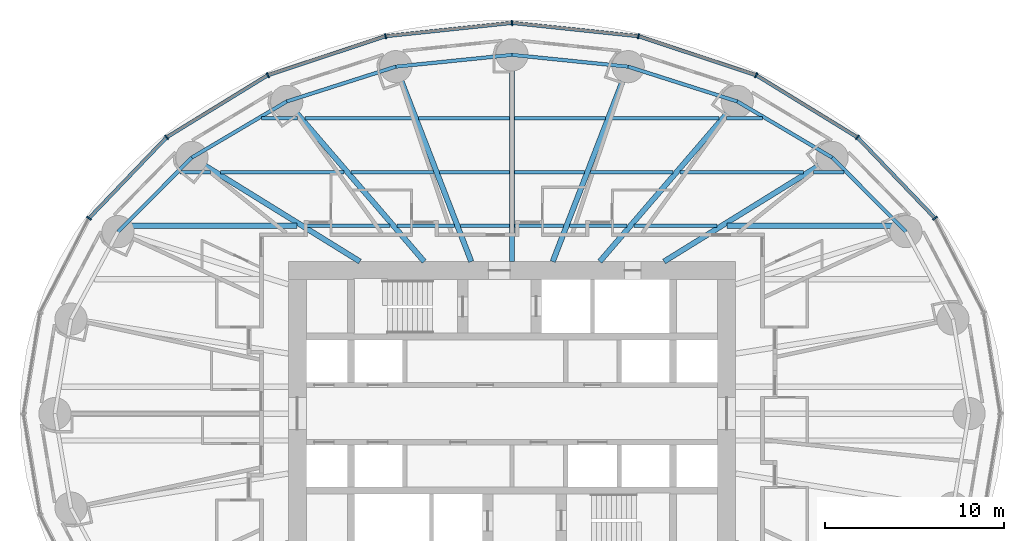
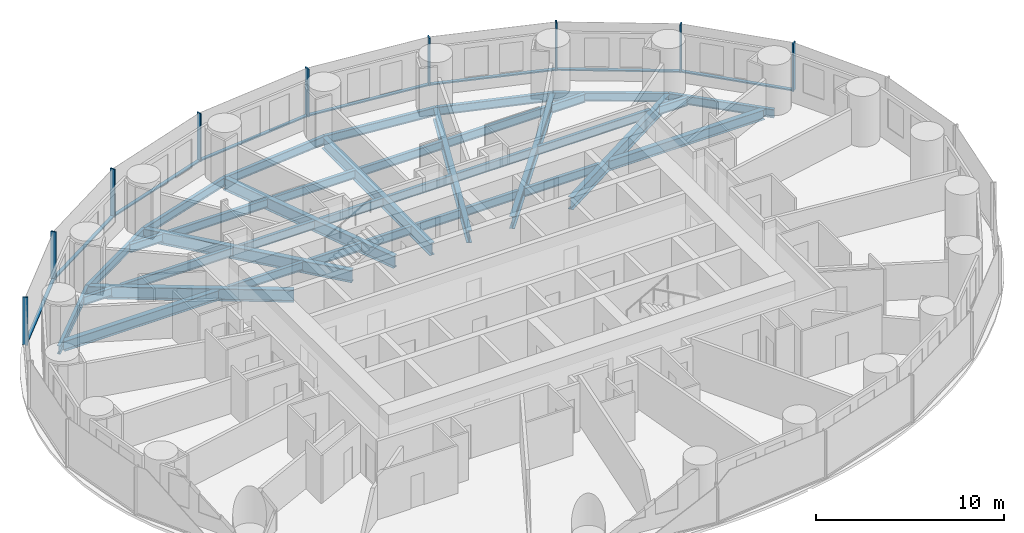
# One storey, part 4 of 14: 37 beams, 17 members, 2 elements without a shape of their own.
"""IFC4 building model written with IfcOpenShell, lengths in metres."""

from ifc_helpers import new_model, si_unit, direction, frame, origin, origin_2d, place, context, subcontext, project, spatial, rectangle, i_section, extrude, material, material_profile, profile_set, type_object, element, aggregate, save


model = new_model("IFC4")

# Units and contexts
model_context = context("Model", 3, precision=1e-05, world=origin(), true_north=direction((0.0, 1.0)))
body_context = subcontext(model_context, "Body", "Model", "MODEL_VIEW")
ifc_project = project(units=[si_unit("LENGTHUNIT", "METRE"), si_unit("AREAUNIT", "SQUARE_METRE"), si_unit("VOLUMEUNIT", "CUBIC_METRE"), si_unit("PLANEANGLEUNIT", "RADIAN"), si_unit("MASSUNIT", "GRAM", prefix="KILO")], contexts=[model_context])

# Site, building, storey
site_placement = place(None, origin())
site = spatial("IfcSite", under=ifc_project, at=site_placement, CompositionType="ELEMENT")
building_placement = place(site_placement, origin())
building = spatial("IfcBuilding", under=site, at=building_placement, Name="Hankou Lantern Tower", CompositionType="ELEMENT")
storey_placement = place(building_placement, frame((0.0, 0.0, 32.699951171875)))
storey = spatial("IfcBuildingStorey", under=building, at=storey_placement, Name="L06", CompositionType="ELEMENT", Elevation=32.699951171875)

# Beams
ifc_material_1 = material(Name="Steel Q355B", Category="steel")
ifc_material_profile_1 = material_profile(ifc_material_1, i_section(OverallWidth=0.199951171875, OverallDepth=0.550048828125, WebThickness=0.010009765625, FlangeThickness=0.01611328125, FilletRadius=0.012939453125, at=origin_2d()), Name="HN550x200x10x16")
ifc_profile_set_1 = profile_set([ifc_material_profile_1], Name="Steel Q355B")
beam_type_1 = type_object("IfcBeamType", Name="EB6 RING BEAM HN550x200x10x16", PredefinedType="SPANDREL", material=ifc_profile_set_1)
beam_1_placement = place(storey_placement, frame((22.01904296875, 10.170166015625, -0.454833984375), z_axis=(-0.705727798394, 0.708483079949, 0.0), x_axis=(-0.708483079949, -0.705727798394, 0.0)))
element("IfcBeam", 1, at=beam_1_placement, inside=storey, type_object=beam_type_1, Name="Ring beam R03-R04 L06", PredefinedType="SPANDREL", context=body_context, shape_type="SweptSolid", body=[
    extrude(i_section(OverallWidth=0.199951171875, OverallDepth=0.550048828125, WebThickness=0.010009765625, FlangeThickness=0.01611328125, FilletRadius=0.012939453125, at=origin_2d()), origin(), (0.0, 0.0, 1.0), 5.84814453125),
])
beam_2_placement = place(storey_placement, frame((17.891845703125, 14.3134765625, -0.454833984375), z_axis=(-0.860881533543, 0.508805449268, 0.0), x_axis=(-0.508805449268, -0.860881533543, 0.0)))
element("IfcBeam", 2, at=beam_2_placement, inside=storey, type_object=beam_type_1, Name="Ring beam R04-R05 L06", PredefinedType="SPANDREL", context=body_context, shape_type="SweptSolid", body=[
    extrude(i_section(OverallWidth=0.199951171875, OverallDepth=0.550048828125, WebThickness=0.010009765625, FlangeThickness=0.01611328125, FilletRadius=0.012939453125, at=origin_2d()), origin(), (0.0, 0.0, 1.0), 6.15771484375),
])
beam_3_placement = place(storey_placement, frame((12.5908203125, 17.446533203125, -0.454833984375), z_axis=(-0.952690479428, 0.303942182671, 0.0), x_axis=(-0.303942182671, -0.952690479428, 0.0)))
element("IfcBeam", 3, at=beam_3_placement, inside=storey, type_object=beam_type_1, Name="Ring beam R05-R06 L06", PredefinedType="SPANDREL", context=body_context, shape_type="SweptSolid", body=[
    extrude(i_section(OverallWidth=0.199951171875, OverallDepth=0.550048828125, WebThickness=0.010009765625, FlangeThickness=0.01611328125, FilletRadius=0.012939453125, at=origin_2d()), origin(), (0.0, 0.0, 1.0), 6.398681640625),
])
for number, where, z_axis, x_axis, name in (
    (4, (6.494873046875, 19.391357421875, -0.454833984375), (-0.994896616842, 0.100899562915, 0.0), (-0.100899562915, -0.994896616842, 0.0), "Ring beam R06-R07 L06"),
    (5, (0.0, 20.050048828125, -0.454833984375), (-0.994896616842, -0.100899562915, 0.0), (0.100899562915, -0.994896616842, 0.0), "Ring beam R07-R08 L06"),
):
    element("IfcBeam", number, at=place(storey_placement, frame(where, z_axis=z_axis, x_axis=x_axis)), inside=storey, type_object=beam_type_1, Name=name, PredefinedType="SPANDREL", context=body_context, shape_type="SweptSolid", body=[
        extrude(i_section(OverallWidth=0.199951171875, OverallDepth=0.550048828125, WebThickness=0.010009765625, FlangeThickness=0.01611328125, FilletRadius=0.012939453125, at=origin_2d()), origin(), (0.0, 0.0, 1.0), 6.528076171875),
    ])
beam_4_placement = place(storey_placement, frame((-6.494873046875, 19.391357421875, -0.454833984375), z_axis=(-0.952690479428, -0.303942182671, 0.0), x_axis=(0.303942182671, -0.952690479428, 0.0)))
element("IfcBeam", 6, at=beam_4_placement, inside=storey, type_object=beam_type_1, Name="Ring beam R08-R09 L06", PredefinedType="SPANDREL", context=body_context, shape_type="SweptSolid", body=[
    extrude(i_section(OverallWidth=0.199951171875, OverallDepth=0.550048828125, WebThickness=0.010009765625, FlangeThickness=0.01611328125, FilletRadius=0.012939453125, at=origin_2d()), origin(), (0.0, 0.0, 1.0), 6.398681640625),
])
beam_5_placement = place(storey_placement, frame((-12.5908203125, 17.446533203125, -0.454833984375), z_axis=(-0.860881533543, -0.508805449268, 0.0), x_axis=(0.508805449268, -0.860881533543, 0.0)))
element("IfcBeam", 7, at=beam_5_placement, inside=storey, type_object=beam_type_1, Name="Ring beam R09-R10 L06", PredefinedType="SPANDREL", context=body_context, shape_type="SweptSolid", body=[
    extrude(i_section(OverallWidth=0.199951171875, OverallDepth=0.550048828125, WebThickness=0.010009765625, FlangeThickness=0.01611328125, FilletRadius=0.012939453125, at=origin_2d()), origin(), (0.0, 0.0, 1.0), 6.15771484375),
])
beam_6_placement = place(storey_placement, frame((-17.891845703125, 14.3134765625, -0.454833984375), z_axis=(-0.705727798394, -0.708483079949, 0.0), x_axis=(0.708483079949, -0.705727798394, 0.0)))
element("IfcBeam", 8, at=beam_6_placement, inside=storey, type_object=beam_type_1, Name="Ring beam R10-R11 L06", PredefinedType="SPANDREL", context=body_context, shape_type="SweptSolid", body=[
    extrude(i_section(OverallWidth=0.199951171875, OverallDepth=0.550048828125, WebThickness=0.010009765625, FlangeThickness=0.01611328125, FilletRadius=0.012939453125, at=origin_2d()), origin(), (0.0, 0.0, 1.0), 5.84814453125),
])

# Curtain wall, members
ifc_material_2 = material(Name="Glass, dark grey tinted laminated", Category="glass")
curtain_wall_type = type_object("IfcCurtainWallType", Name="CWA OUTER SKIN LOW-RISE", PredefinedType="USERDEFINED", material=ifc_material_2)
curtain_wall_1_placement = place(storey_placement, origin())
curtain_wall_1 = element("IfcCurtainWall", 9, at=curtain_wall_1_placement, inside=storey, type_object=curtain_wall_type, Name="CWA L06 OS1", ObjectType="OUTER SKIN LOW-RISE", PredefinedType="USERDEFINED")
ifc_material_3 = material(Name="Aluminium, black anodised", Category="aluminium")
ifc_material_profile_2 = material_profile(ifc_material_3, rectangle(XDim=0.080078125, YDim=0.300048828125, at=origin_2d()), Name="MU1 80X300")
ifc_profile_set_2 = profile_set([ifc_material_profile_2], Name="Aluminium, black anodised")
member_type_1 = type_object("IfcMemberType", Name="MU1 OUTER SKIN MULLION 80X300", PredefinedType="MULLION", material=ifc_profile_set_2)
member_1_placement = place(storey_placement, frame((23.642578125, 10.919921875, 0.0), z_axis=(0.0, 0.0, 1.0), x_axis=(-0.585205735974, 0.810884854084, 0.0)))
member_1 = element("IfcMember", 10, at=member_1_placement, type_object=member_type_1, Name="CWA mullion 3", PredefinedType="MULLION", context=body_context, shape_type="SweptSolid", body=[
    extrude(rectangle(XDim=0.080078125, YDim=0.300048828125, at=origin_2d()), origin(), (0.0, 0.0, 1.0), 3.1201171875),
])
member_2_placement = place(storey_placement, frame((19.303955078125, 15.443115234375, 0.0), z_axis=(0.0, 0.0, 1.0), x_axis=(-0.780868809444, 0.624695047553, 0.0)))
member_2 = element("IfcMember", 11, at=member_2_placement, type_object=member_type_1, Name="CWA mullion 4", PredefinedType="MULLION", context=body_context, shape_type="SweptSolid", body=[
    extrude(rectangle(XDim=0.080078125, YDim=0.300048828125, at=origin_2d()), origin(), (0.0, 0.0, 1.0), 3.1201171875),
])
member_3_placement = place(storey_placement, frame((13.64990234375, 18.9140625, 0.0), z_axis=(0.0, 0.0, 1.0), x_axis=(-0.907841299004, 0.419313934686, 0.0)))
member_3 = element("IfcMember", 12, at=member_3_placement, type_object=member_type_1, Name="CWA mullion 5", PredefinedType="MULLION", context=body_context, shape_type="SweptSolid", body=[
    extrude(rectangle(XDim=0.080078125, YDim=0.300048828125, at=origin_2d()), origin(), (0.0, 0.0, 1.0), 3.1201171875),
])
member_4_placement = place(storey_placement, frame((7.065673828125, 21.095703125, 0.0), z_axis=(0.0, 0.0, 1.0), x_axis=(-0.977787659625, 0.209597931016, 0.0)))
member_4 = element("IfcMember", 13, at=member_4_placement, type_object=member_type_1, Name="CWA mullion 6", PredefinedType="MULLION", context=body_context, shape_type="SweptSolid", body=[
    extrude(rectangle(XDim=0.080078125, YDim=0.300048828125, at=origin_2d()), origin(), (0.0, 0.0, 1.0), 3.1201171875),
])

curtain_wall_2_placement = place(storey_placement, origin())
curtain_wall_2 = element("IfcCurtainWall", 14, at=curtain_wall_2_placement, inside=storey, type_object=curtain_wall_type, Name="CWA L06 OS2", ObjectType="OUTER SKIN LOW-RISE", PredefinedType="USERDEFINED")
member_5_placement = place(storey_placement, frame((0.0, 21.840087890625, 0.0), z_axis=(0.0, 0.0, 1.0), x_axis=(-0.994499359107, -0.104742659579, 0.0)))
member_5 = element("IfcMember", 15, at=member_5_placement, type_object=member_type_1, Name="CWA mullion 1", PredefinedType="MULLION", context=body_context, shape_type="SweptSolid", body=[
    extrude(rectangle(XDim=0.080078125, YDim=0.300048828125, at=origin_2d()), origin(), (0.0, 0.0, 1.0), 3.1201171875),
])
member_6_placement = place(storey_placement, frame((-7.065673828125, 21.095703125, 0.0), z_axis=(0.0, 0.0, 1.0), x_axis=(-0.977787659625, -0.209597931016, 0.0)))
member_6 = element("IfcMember", 16, at=member_6_placement, type_object=member_type_1, Name="CWA mullion 2", PredefinedType="MULLION", context=body_context, shape_type="SweptSolid", body=[
    extrude(rectangle(XDim=0.080078125, YDim=0.300048828125, at=origin_2d()), origin(), (0.0, 0.0, 1.0), 3.1201171875),
])
member_7_placement = place(storey_placement, frame((-13.64990234375, 18.9140625, 0.0), z_axis=(0.0, 0.0, 1.0), x_axis=(-0.907841299004, -0.419313934686, 0.0)))
member_7 = element("IfcMember", 17, at=member_7_placement, type_object=member_type_1, Name="CWA mullion 3", PredefinedType="MULLION", context=body_context, shape_type="SweptSolid", body=[
    extrude(rectangle(XDim=0.080078125, YDim=0.300048828125, at=origin_2d()), origin(), (0.0, 0.0, 1.0), 3.1201171875),
])
member_8_placement = place(storey_placement, frame((-19.303955078125, 15.443115234375, 0.0), z_axis=(0.0, 0.0, 1.0), x_axis=(-0.780868809444, -0.624695047553, 0.0)))
member_8 = element("IfcMember", 18, at=member_8_placement, type_object=member_type_1, Name="CWA mullion 4", PredefinedType="MULLION", context=body_context, shape_type="SweptSolid", body=[
    extrude(rectangle(XDim=0.080078125, YDim=0.300048828125, at=origin_2d()), origin(), (0.0, 0.0, 1.0), 3.1201171875),
])
member_9_placement = place(storey_placement, frame((-23.642578125, 10.919921875, 0.0), z_axis=(0.0, 0.0, 1.0), x_axis=(-0.585205735974, -0.810884854084, 0.0)))
member_9 = element("IfcMember", 19, at=member_9_placement, type_object=member_type_1, Name="CWA mullion 5", PredefinedType="MULLION", context=body_context, shape_type="SweptSolid", body=[
    extrude(rectangle(XDim=0.080078125, YDim=0.300048828125, at=origin_2d()), origin(), (0.0, 0.0, 1.0), 3.1201171875),
])

# Beams
ifc_material_4 = material(Name="Steel Q355B", Category="steel")
ifc_material_profile_3 = material_profile(ifc_material_4, i_section(OverallWidth=0.300048828125, OverallDepth=0.800048828125, WebThickness=0.013916015625, FlangeThickness=0.02587890625, FilletRadius=0.01806640625, at=origin_2d()), Name="HN800x300x14x26")
ifc_profile_set_3 = profile_set([ifc_material_profile_3], Name="Steel Q355B")
beam_type_2 = type_object("IfcBeamType", Name="RB11 RADIAL BEAM HN800x300x14x26", PredefinedType="BEAM", material=ifc_profile_set_3)
beam_7_placement = place(storey_placement, frame((8.5, 8.5, -0.579833984375), z_axis=(0.850286343288, 0.526320372414, 0.0), x_axis=(-0.526320372414, 0.850286343288, 0.0)))
element("IfcBeam", 20, at=beam_7_placement, inside=storey, type_object=beam_type_2, Name="Radial beam R04 L06", PredefinedType="BEAM", context=body_context, shape_type="SweptSolid", body=[
    extrude(i_section(OverallWidth=0.300048828125, OverallDepth=0.800048828125, WebThickness=0.013916015625, FlangeThickness=0.02587890625, FilletRadius=0.01806640625, at=origin_2d()), origin(), (0.0, 0.0, 1.0), 11.04541015625),
])
beam_8_placement = place(storey_placement, frame((4.907470703125, 8.5, -0.579833984375), z_axis=(0.651519061225, 0.758632264579, 0.0), x_axis=(-0.758632264579, 0.651519061225, 0.0)))
element("IfcBeam", 21, at=beam_8_placement, inside=storey, type_object=beam_type_2, Name="Radial beam R05 L06", PredefinedType="BEAM", context=body_context, shape_type="SweptSolid", body=[
    extrude(i_section(OverallWidth=0.300048828125, OverallDepth=0.800048828125, WebThickness=0.013916015625, FlangeThickness=0.02587890625, FilletRadius=0.01806640625, at=origin_2d()), origin(), (0.0, 0.0, 1.0), 11.79296875),
])
beam_9_placement = place(storey_placement, frame((2.277587890625, 8.5, -0.579833984375), z_axis=(0.361089103374, 0.932531318201, 0.0), x_axis=(-0.932531318201, 0.361089103374, 0.0)))
element("IfcBeam", 22, at=beam_9_placement, inside=storey, type_object=beam_type_2, Name="Radial beam R06 L06", PredefinedType="BEAM", context=body_context, shape_type="SweptSolid", body=[
    extrude(i_section(OverallWidth=0.300048828125, OverallDepth=0.800048828125, WebThickness=0.013916015625, FlangeThickness=0.02587890625, FilletRadius=0.01806640625, at=origin_2d()), origin(), (0.0, 0.0, 1.0), 11.679443359375),
])
beam_10_placement = place(storey_placement, frame((0.0, 8.5, -0.579833984375), z_axis=(0.0, 1.0, 0.0), x_axis=(-1.0, 0.0, 0.0)))
element("IfcBeam", 23, at=beam_10_placement, inside=storey, type_object=beam_type_2, Name="Radial beam R07 L06", PredefinedType="BEAM", context=body_context, shape_type="SweptSolid", body=[
    extrude(i_section(OverallWidth=0.300048828125, OverallDepth=0.800048828125, WebThickness=0.013916015625, FlangeThickness=0.02587890625, FilletRadius=0.01806640625, at=origin_2d()), origin(), (0.0, 0.0, 1.0), 11.550048828125),
])
beam_11_placement = place(storey_placement, frame((-2.277587890625, 8.5, -0.579833984375), z_axis=(-0.361089103374, 0.932531318201, 0.0), x_axis=(-0.932531318201, -0.361089103374, 0.0)))
element("IfcBeam", 24, at=beam_11_placement, inside=storey, type_object=beam_type_2, Name="Radial beam R08 L06", PredefinedType="BEAM", context=body_context, shape_type="SweptSolid", body=[
    extrude(i_section(OverallWidth=0.300048828125, OverallDepth=0.800048828125, WebThickness=0.013916015625, FlangeThickness=0.02587890625, FilletRadius=0.01806640625, at=origin_2d()), origin(), (0.0, 0.0, 1.0), 11.679443359375),
])
beam_12_placement = place(storey_placement, frame((-4.907470703125, 8.5, -0.579833984375), z_axis=(-0.651519061225, 0.758632264579, 0.0), x_axis=(-0.758632264579, -0.651519061225, 0.0)))
element("IfcBeam", 25, at=beam_12_placement, inside=storey, type_object=beam_type_2, Name="Radial beam R09 L06", PredefinedType="BEAM", context=body_context, shape_type="SweptSolid", body=[
    extrude(i_section(OverallWidth=0.300048828125, OverallDepth=0.800048828125, WebThickness=0.013916015625, FlangeThickness=0.02587890625, FilletRadius=0.01806640625, at=origin_2d()), origin(), (0.0, 0.0, 1.0), 11.79296875),
])
beam_13_placement = place(storey_placement, frame((-8.5, 8.5, -0.579833984375), z_axis=(-0.850286343288, 0.526320372414, 0.0), x_axis=(-0.526320372414, -0.850286343288, 0.0)))
element("IfcBeam", 26, at=beam_13_placement, inside=storey, type_object=beam_type_2, Name="Radial beam R10 L06", PredefinedType="BEAM", context=body_context, shape_type="SweptSolid", body=[
    extrude(i_section(OverallWidth=0.300048828125, OverallDepth=0.800048828125, WebThickness=0.013916015625, FlangeThickness=0.02587890625, FilletRadius=0.01806640625, at=origin_2d()), origin(), (0.0, 0.0, 1.0), 11.04541015625),
])
ifc_material_5 = material(Name="Steel Q355B", Category="steel")
ifc_material_profile_4 = material_profile(ifc_material_5, i_section(OverallWidth=0.199951171875, OverallDepth=0.550048828125, WebThickness=0.010009765625, FlangeThickness=0.01611328125, FilletRadius=0.012939453125, at=origin_2d()), Name="HN550x200x10x16")
ifc_profile_set_4 = profile_set([ifc_material_profile_4], Name="Steel Q355B")
beam_type_3 = type_object("IfcBeamType", Name="SB6 SECONDARY BEAM HN550x200x10x16", PredefinedType="JOIST", material=ifc_profile_set_4)
beam_14_placement = place(storey_placement, frame((-11.446044921875, 10.5, -0.454833984375), z_axis=(1.0, 0.0, 0.0), x_axis=(0.0, 1.0, 0.0)))
element("IfcBeam", 27, at=beam_14_placement, inside=storey, type_object=beam_type_3, Name="Floor joist J040 L06", PredefinedType="JOIST", context=body_context, shape_type="SweptSolid", body=[
    extrude(i_section(OverallWidth=0.199951171875, OverallDepth=0.550048828125, WebThickness=0.010009765625, FlangeThickness=0.01611328125, FilletRadius=0.012939453125, at=origin_2d()), origin(), (0.0, 0.0, 1.0), 4.623291015625),
])
beam_15_placement = place(storey_placement, frame((-6.427490234375, 10.5, -0.454833984375), z_axis=(1.0, 0.0, 0.0), x_axis=(0.0, 1.0, 0.0)))
element("IfcBeam", 28, at=beam_15_placement, inside=storey, type_object=beam_type_3, Name="Floor joist J041 L06", PredefinedType="JOIST", context=body_context, shape_type="SweptSolid", body=[
    extrude(i_section(OverallWidth=0.199951171875, OverallDepth=0.550048828125, WebThickness=0.010009765625, FlangeThickness=0.01611328125, FilletRadius=0.012939453125, at=origin_2d()), origin(), (0.0, 0.0, 1.0), 3.214599609375),
])
for number, where, z_axis, x_axis, name in (
    (29, (-2.89111328125, 10.5, -0.454833984375), (1.0, 0.0, 0.0), (0.0, 1.0, 0.0), "Floor joist J042 L06"),
    (30, (0.14990234375, 10.5, -0.454833984375), (1.0, 0.0, 0.0), (0.0, 1.0, 0.0), "Floor joist J043 L06"),
):
    element("IfcBeam", number, at=place(storey_placement, frame(where, z_axis=z_axis, x_axis=x_axis)), inside=storey, type_object=beam_type_3, Name=name, PredefinedType="JOIST", context=body_context, shape_type="SweptSolid", body=[
        extrude(i_section(OverallWidth=0.199951171875, OverallDepth=0.550048828125, WebThickness=0.010009765625, FlangeThickness=0.01611328125, FilletRadius=0.012939453125, at=origin_2d()), origin(), (0.0, 0.0, 1.0), 2.7412109375),
    ])
beam_16_placement = place(storey_placement, frame((3.212890625, 10.5, -0.454833984375), z_axis=(1.0, 0.0, 0.0), x_axis=(0.0, 1.0, 0.0)))
element("IfcBeam", 31, at=beam_16_placement, inside=storey, type_object=beam_type_3, Name="Floor joist J044 L06", PredefinedType="JOIST", context=body_context, shape_type="SweptSolid", body=[
    extrude(i_section(OverallWidth=0.199951171875, OverallDepth=0.550048828125, WebThickness=0.010009765625, FlangeThickness=0.01611328125, FilletRadius=0.012939453125, at=origin_2d()), origin(), (0.0, 0.0, 1.0), 3.214599609375),
])
beam_17_placement = place(storey_placement, frame((6.82275390625, 10.5, -0.454833984375), z_axis=(1.0, 0.0, 0.0), x_axis=(0.0, 1.0, 0.0)))
element("IfcBeam", 32, at=beam_17_placement, inside=storey, type_object=beam_type_3, Name="Floor joist J045 L06", PredefinedType="JOIST", context=body_context, shape_type="SweptSolid", body=[
    extrude(i_section(OverallWidth=0.199951171875, OverallDepth=0.550048828125, WebThickness=0.010009765625, FlangeThickness=0.01611328125, FilletRadius=0.012939453125, at=origin_2d()), origin(), (0.0, 0.0, 1.0), 4.623291015625),
])
beam_18_placement = place(storey_placement, frame((-18.560791015625, 13.5, -0.454833984375), z_axis=(1.0, 0.0, 0.0), x_axis=(0.0, 1.0, 0.0)))
element("IfcBeam", 33, at=beam_18_placement, inside=storey, type_object=beam_type_3, Name="Floor joist J047 L06", PredefinedType="JOIST", context=body_context, shape_type="SweptSolid", body=[
    extrude(i_section(OverallWidth=0.199951171875, OverallDepth=0.550048828125, WebThickness=0.010009765625, FlangeThickness=0.01611328125, FilletRadius=0.012939453125, at=origin_2d()), origin(), (0.0, 0.0, 1.0), 1.697998046875),
])
beam_19_placement = place(storey_placement, frame((-16.292724609375, 13.5, -0.454833984375), z_axis=(1.0, 0.0, 0.0), x_axis=(0.0, 1.0, 0.0)))
element("IfcBeam", 34, at=beam_19_placement, inside=storey, type_object=beam_type_3, Name="Floor joist J048 L06", PredefinedType="JOIST", context=body_context, shape_type="SweptSolid", body=[
    extrude(i_section(OverallWidth=0.199951171875, OverallDepth=0.550048828125, WebThickness=0.010009765625, FlangeThickness=0.01611328125, FilletRadius=0.012939453125, at=origin_2d()), origin(), (0.0, 0.0, 1.0), 6.893310546875),
])
beam_20_placement = place(storey_placement, frame((-9.00390625, 13.5, -0.454833984375), z_axis=(1.0, 0.0, 0.0), x_axis=(0.0, 1.0, 0.0)))
element("IfcBeam", 35, at=beam_20_placement, inside=storey, type_object=beam_type_3, Name="Floor joist J049 L06", PredefinedType="JOIST", context=body_context, shape_type="SweptSolid", body=[
    extrude(i_section(OverallWidth=0.199951171875, OverallDepth=0.550048828125, WebThickness=0.010009765625, FlangeThickness=0.01611328125, FilletRadius=0.012939453125, at=origin_2d()), origin(), (0.0, 0.0, 1.0), 4.62939453125),
])
for number, where, z_axis, x_axis, name in (
    (36, (-4.052734375, 13.5, -0.454833984375), (1.0, 0.0, 0.0), (0.0, 1.0, 0.0), "Floor joist J050 L06"),
    (37, (0.14990234375, 13.5, -0.454833984375), (1.0, 0.0, 0.0), (0.0, 1.0, 0.0), "Floor joist J051 L06"),
):
    element("IfcBeam", number, at=place(storey_placement, frame(where, z_axis=z_axis, x_axis=x_axis)), inside=storey, type_object=beam_type_3, Name=name, PredefinedType="JOIST", context=body_context, shape_type="SweptSolid", body=[
        extrude(i_section(OverallWidth=0.199951171875, OverallDepth=0.550048828125, WebThickness=0.010009765625, FlangeThickness=0.01611328125, FilletRadius=0.012939453125, at=origin_2d()), origin(), (0.0, 0.0, 1.0), 3.90283203125),
    ])
beam_21_placement = place(storey_placement, frame((4.37451171875, 13.5, -0.454833984375), z_axis=(1.0, 0.0, 0.0), x_axis=(0.0, 1.0, 0.0)))
element("IfcBeam", 38, at=beam_21_placement, inside=storey, type_object=beam_type_3, Name="Floor joist J052 L06", PredefinedType="JOIST", context=body_context, shape_type="SweptSolid", body=[
    extrude(i_section(OverallWidth=0.199951171875, OverallDepth=0.550048828125, WebThickness=0.010009765625, FlangeThickness=0.01611328125, FilletRadius=0.012939453125, at=origin_2d()), origin(), (0.0, 0.0, 1.0), 4.62939453125),
])
beam_22_placement = place(storey_placement, frame((9.3994140625, 13.5, -0.454833984375), z_axis=(1.0, 0.0, 0.0), x_axis=(0.0, 1.0, 0.0)))
element("IfcBeam", 39, at=beam_22_placement, inside=storey, type_object=beam_type_3, Name="Floor joist J053 L06", PredefinedType="JOIST", context=body_context, shape_type="SweptSolid", body=[
    extrude(i_section(OverallWidth=0.199951171875, OverallDepth=0.550048828125, WebThickness=0.010009765625, FlangeThickness=0.01611328125, FilletRadius=0.012939453125, at=origin_2d()), origin(), (0.0, 0.0, 1.0), 6.893310546875),
])
beam_23_placement = place(storey_placement, frame((16.86279296875, 13.5, -0.454833984375), z_axis=(1.0, 0.0, 0.0), x_axis=(0.0, 1.0, 0.0)))
element("IfcBeam", 40, at=beam_23_placement, inside=storey, type_object=beam_type_3, Name="Floor joist J054 L06", PredefinedType="JOIST", context=body_context, shape_type="SweptSolid", body=[
    extrude(i_section(OverallWidth=0.199951171875, OverallDepth=0.550048828125, WebThickness=0.010009765625, FlangeThickness=0.01611328125, FilletRadius=0.012939453125, at=origin_2d()), origin(), (0.0, 0.0, 1.0), 1.697998046875),
])
beam_24_placement = place(storey_placement, frame((-13.99560546875, 16.5, -0.454833984375), z_axis=(1.0, 0.0, 0.0), x_axis=(0.0, 1.0, 0.0)))
element("IfcBeam", 41, at=beam_24_placement, inside=storey, type_object=beam_type_3, Name="Floor joist J055 L06", PredefinedType="JOIST", context=body_context, shape_type="SweptSolid", body=[
    extrude(i_section(OverallWidth=0.199951171875, OverallDepth=0.550048828125, WebThickness=0.010009765625, FlangeThickness=0.01611328125, FilletRadius=0.012939453125, at=origin_2d()), origin(), (0.0, 0.0, 1.0), 2.019775390625),
])
beam_25_placement = place(storey_placement, frame((-11.580322265625, 16.5, -0.454833984375), z_axis=(1.0, 0.0, 0.0), x_axis=(0.0, 1.0, 0.0)))
element("IfcBeam", 42, at=beam_25_placement, inside=storey, type_object=beam_type_3, Name="Floor joist J056 L06", PredefinedType="JOIST", context=body_context, shape_type="SweptSolid", body=[
    extrude(i_section(OverallWidth=0.199951171875, OverallDepth=0.550048828125, WebThickness=0.010009765625, FlangeThickness=0.01611328125, FilletRadius=0.012939453125, at=origin_2d()), origin(), (0.0, 0.0, 1.0), 6.044189453125),
])
for number, where, z_axis, x_axis, name in (
    (43, (-5.21435546875, 16.5, -0.454833984375), (1.0, 0.0, 0.0), (0.0, 1.0, 0.0), "Floor joist J057 L06"),
    (44, (0.14990234375, 16.5, -0.454833984375), (1.0, 0.0, 0.0), (0.0, 1.0, 0.0), "Floor joist J058 L06"),
):
    element("IfcBeam", number, at=place(storey_placement, frame(where, z_axis=z_axis, x_axis=x_axis)), inside=storey, type_object=beam_type_3, Name=name, PredefinedType="JOIST", context=body_context, shape_type="SweptSolid", body=[
        extrude(i_section(OverallWidth=0.199951171875, OverallDepth=0.550048828125, WebThickness=0.010009765625, FlangeThickness=0.01611328125, FilletRadius=0.012939453125, at=origin_2d()), origin(), (0.0, 0.0, 1.0), 5.064453125),
    ])
beam_26_placement = place(storey_placement, frame((5.5361328125, 16.5, -0.454833984375), z_axis=(1.0, 0.0, 0.0), x_axis=(0.0, 1.0, 0.0)))
element("IfcBeam", 45, at=beam_26_placement, inside=storey, type_object=beam_type_3, Name="Floor joist J059 L06", PredefinedType="JOIST", context=body_context, shape_type="SweptSolid", body=[
    extrude(i_section(OverallWidth=0.199951171875, OverallDepth=0.550048828125, WebThickness=0.010009765625, FlangeThickness=0.01611328125, FilletRadius=0.012939453125, at=origin_2d()), origin(), (0.0, 0.0, 1.0), 6.044189453125),
])
beam_27_placement = place(storey_placement, frame((11.975830078125, 16.5, -0.454833984375), z_axis=(1.0, 0.0, 0.0), x_axis=(0.0, 1.0, 0.0)))
element("IfcBeam", 46, at=beam_27_placement, inside=storey, type_object=beam_type_3, Name="Floor joist J060 L06", PredefinedType="JOIST", context=body_context, shape_type="SweptSolid", body=[
    extrude(i_section(OverallWidth=0.199951171875, OverallDepth=0.550048828125, WebThickness=0.010009765625, FlangeThickness=0.01611328125, FilletRadius=0.012939453125, at=origin_2d()), origin(), (0.0, 0.0, 1.0), 2.019775390625),
])
ifc_material_6 = material(Name="Steel Q355B", Category="steel")
ifc_material_profile_5 = material_profile(ifc_material_6, i_section(OverallWidth=0.300048828125, OverallDepth=0.64990234375, WebThickness=0.010986328125, FlangeThickness=0.01708984375, FilletRadius=0.01806640625, at=origin_2d()), Name="HN650x300x11x17")
ifc_profile_set_5 = profile_set([ifc_material_profile_5], Name="Steel Q355B")
beam_type_4 = type_object("IfcBeamType", Name="SB8 SECONDARY BEAM HN650x300x11x17", PredefinedType="JOIST", material=ifc_profile_set_5)
for number, where, z_axis, x_axis, name in (
    (47, (-21.54931640625, 10.5, -0.5048828125), (1.0, 0.0, 0.0), (0.0, 1.0, 0.0), "Floor joist J039 L06"),
    (48, (12.01611328125, 10.5, -0.5048828125), (1.0, 0.0, 0.0), (0.0, 1.0, 0.0), "Floor joist J046 L06"),
):
    element("IfcBeam", number, at=place(storey_placement, frame(where, z_axis=z_axis, x_axis=x_axis)), inside=storey, type_object=beam_type_4, Name=name, PredefinedType="JOIST", context=body_context, shape_type="SweptSolid", body=[
        extrude(i_section(OverallWidth=0.300048828125, OverallDepth=0.64990234375, WebThickness=0.010986328125, FlangeThickness=0.01708984375, FilletRadius=0.01806640625, at=origin_2d()), origin(), (0.0, 0.0, 1.0), 9.533203125),
    ])

# Member
ifc_material_7 = material(Name="Aluminium, black anodised", Category="aluminium")
ifc_material_profile_6 = material_profile(ifc_material_7, rectangle(XDim=0.199951171875, YDim=0.080078125, at=origin_2d()), Name="TR1 200X80")
ifc_profile_set_6 = profile_set([ifc_material_profile_6], Name="Aluminium, black anodised")
member_type_2 = type_object("IfcMemberType", Name="TR1 OUTER SKIN TRANSOM 200X80", PredefinedType="USERDEFINED", material=ifc_profile_set_6)
member_10_placement = place(storey_placement, frame((23.61474609375, 10.948974609375, 0.0400390625), z_axis=(-0.692215537374, 0.721690827029, 0.0), x_axis=(-0.721690827029, -0.692215537374, 0.0)))
member_10 = element("IfcMember", 49, at=member_10_placement, type_object=member_type_2, Name="CWA transom 3", ObjectType="TRANSOM", PredefinedType="USERDEFINED", context=body_context, shape_type="SweptSolid", body=[
    extrude(rectangle(XDim=0.199951171875, YDim=0.080078125, at=origin_2d()), origin(), (0.0, 0.0, 1.0), 6.187255859375),
])

member_11_placement = place(storey_placement, frame((19.27001953125, 15.464111328125, 0.0400390625), z_axis=(-0.85223969557, 0.523151508929, 0.0), x_axis=(-0.523151508929, -0.85223969557, 0.0)))
member_11 = element("IfcMember", 50, at=member_11_placement, type_object=member_type_2, Name="CWA transom 4", ObjectType="TRANSOM", PredefinedType="USERDEFINED", context=body_context, shape_type="SweptSolid", body=[
    extrude(rectangle(XDim=0.199951171875, YDim=0.080078125, at=origin_2d()), origin(), (0.0, 0.0, 1.0), 6.554443359375),
])

member_12_placement = place(storey_placement, frame((13.612060546875, 18.926513671875, 0.0400390625), z_axis=(-0.949237318771, 0.314560825044, 0.0), x_axis=(-0.314560825044, -0.949237318771, 0.0)))
member_12 = element("IfcMember", 51, at=member_12_placement, type_object=member_type_2, Name="CWA transom 5", ObjectType="TRANSOM", PredefinedType="USERDEFINED", context=body_context, shape_type="SweptSolid", body=[
    extrude(rectangle(XDim=0.199951171875, YDim=0.080078125, at=origin_2d()), origin(), (0.0, 0.0, 1.0), 6.8564453125),
])

member_13_placement = place(storey_placement, frame((7.02587890625, 21.10009765625, 0.0400390625), z_axis=(-0.994502215033, 0.104715539888, 0.0), x_axis=(-0.104715539888, -0.994502215033, 0.0)))
member_13 = element("IfcMember", 52, at=member_13_placement, type_object=member_type_2, Name="CWA transom 6", ObjectType="TRANSOM", PredefinedType="USERDEFINED", context=body_context, shape_type="SweptSolid", body=[
    extrude(rectangle(XDim=0.199951171875, YDim=0.080078125, at=origin_2d()), origin(), (0.0, 0.0, 1.0), 7.024658203125),
])

aggregate(curtain_wall_1, [member_1, member_2, member_3, member_4, member_10, member_11, member_12, member_13])

member_14_placement = place(storey_placement, frame((-0.039794921875, 21.835693359375, 0.0400390625), z_axis=(-0.994502215033, -0.104715539888, 0.0), x_axis=(0.104715539888, -0.994502215033, 0.0)))
member_14 = element("IfcMember", 53, at=member_14_placement, type_object=member_type_2, Name="CWA transom 1", ObjectType="TRANSOM", PredefinedType="USERDEFINED", context=body_context, shape_type="SweptSolid", body=[
    extrude(rectangle(XDim=0.199951171875, YDim=0.080078125, at=origin_2d()), origin(), (0.0, 0.0, 1.0), 7.024658203125),
])

member_15_placement = place(storey_placement, frame((-7.103759765625, 21.083251953125, 0.0400390625), z_axis=(-0.949237318771, -0.314560825044, 0.0), x_axis=(0.314560825044, -0.949237318771, 0.0)))
member_15 = element("IfcMember", 54, at=member_15_placement, type_object=member_type_2, Name="CWA transom 2", ObjectType="TRANSOM", PredefinedType="USERDEFINED", context=body_context, shape_type="SweptSolid", body=[
    extrude(rectangle(XDim=0.199951171875, YDim=0.080078125, at=origin_2d()), origin(), (0.0, 0.0, 1.0), 6.8564453125),
])

member_16_placement = place(storey_placement, frame((-13.68408203125, 18.89306640625, 0.0400390625), z_axis=(-0.85223969557, -0.523151508929, 0.0), x_axis=(0.523151508929, -0.85223969557, 0.0)))
member_16 = element("IfcMember", 55, at=member_16_placement, type_object=member_type_2, Name="CWA transom 3", ObjectType="TRANSOM", PredefinedType="USERDEFINED", context=body_context, shape_type="SweptSolid", body=[
    extrude(rectangle(XDim=0.199951171875, YDim=0.080078125, at=origin_2d()), origin(), (0.0, 0.0, 1.0), 6.554443359375),
])

member_17_placement = place(storey_placement, frame((-19.331787109375, 15.414306640625, 0.0400390625), z_axis=(-0.692215537374, -0.721690827029, 0.0), x_axis=(0.721690827029, -0.692215537374, 0.0)))
member_17 = element("IfcMember", 56, at=member_17_placement, type_object=member_type_2, Name="CWA transom 4", ObjectType="TRANSOM", PredefinedType="USERDEFINED", context=body_context, shape_type="SweptSolid", body=[
    extrude(rectangle(XDim=0.199951171875, YDim=0.080078125, at=origin_2d()), origin(), (0.0, 0.0, 1.0), 6.187255859375),
])

aggregate(curtain_wall_2, [member_5, member_6, member_7, member_8, member_9, member_14, member_15, member_16, member_17])

save(model, "model.ifc")
